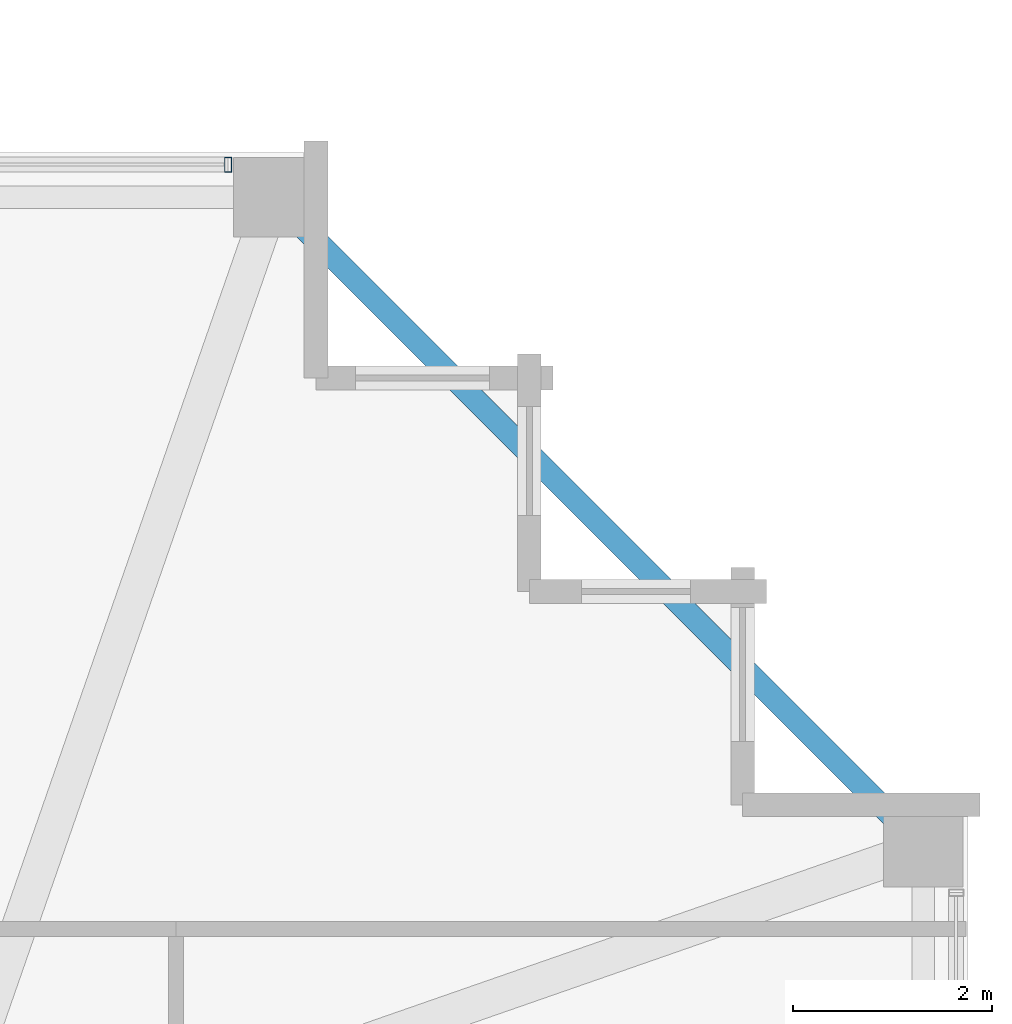
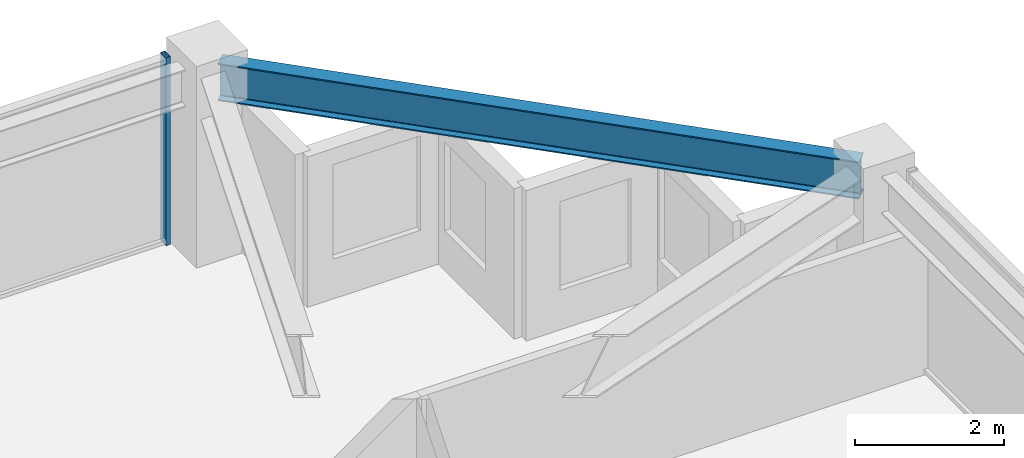
# One storey, part 22 of 36: 1 beam, 1 member, 1 element without a shape of its own.
"""IFC4 building model written with IfcOpenShell, lengths in metres."""

from ifc_helpers import new_model, si_unit, direction, frame, origin, origin_2d, place, context, subcontext, project, spatial, hollow_rectangle, i_section, extrude, material, material_profile, profile_set, type_object, element, aggregate, save


model = new_model("IFC4")

# Units and contexts
model_context = context("Model", 3, precision=1e-05, world=origin(), true_north=direction((0.0, 1.0)))
body_context = subcontext(model_context, "Body", "Model", "MODEL_VIEW")
ifc_project = project(units=[si_unit("LENGTHUNIT", "METRE"), si_unit("AREAUNIT", "SQUARE_METRE"), si_unit("VOLUMEUNIT", "CUBIC_METRE"), si_unit("PLANEANGLEUNIT", "RADIAN"), si_unit("MASSUNIT", "GRAM", prefix="KILO")], contexts=[model_context])

# Site, building, storey
site_placement = place(None, origin())
site = spatial("IfcSite", under=ifc_project, at=site_placement, CompositionType="ELEMENT")
building_placement = place(site_placement, origin())
building = spatial("IfcBuilding", under=site, at=building_placement, Name="Kolvaren Belvedere", CompositionType="ELEMENT")
storey_placement = place(building_placement, frame((0.0, 0.0, 196.5)))
storey = spatial("IfcBuildingStorey", under=building, at=storey_placement, Name="L57", CompositionType="ELEMENT", Elevation=196.5)

# Beam
ifc_material_1 = material(Name="Structural steel ASTM A992 Grade 50", Category="steel")
ifc_material_profile_1 = material_profile(ifc_material_1, i_section(OverallWidth=0.22900390625, OverallDepth=0.612060546875, WebThickness=0.011962890625, FlangeThickness=0.01953125, FilletRadius=0.01806640625, at=origin_2d()), Name="W24X84")
ifc_profile_set_1 = profile_set([ifc_material_profile_1], Name="Structural steel ASTM A992 Grade 50")
beam_type = type_object("IfcBeamType", Name="BM-SPAN-W24X84", PredefinedType="SPANDREL", material=ifc_profile_set_1)
beam_placement = place(storey_placement, frame((19.82275390625, 13.52734375, 2.77392578125), z_axis=(-0.707106781187, 0.707106781187, 0.0), x_axis=(-0.707106781187, -0.707106781187, 0.0)))
element("IfcBeam", 1, at=beam_placement, inside=storey, type_object=beam_type, Name="L57 Perimeter Spandrel E4-N4", PredefinedType="SPANDREL", context=body_context, shape_type="SweptSolid", body=[
    extrude(i_section(OverallWidth=0.22900390625, OverallDepth=0.612060546875, WebThickness=0.011962890625, FlangeThickness=0.01953125, FilletRadius=0.01806640625, at=origin_2d()), origin(), (0.0, 0.0, 1.0), 8.903076171875),
])

# Curtain wall, member
ifc_material_2 = material(Name="Anodised pale-metal aluminium AA 6063-T6", Category="aluminium")
curtain_wall_type = type_object("IfcCurtainWallType", Name="CW-Z5-HIGH", PredefinedType="NOTDEFINED", material=ifc_material_2)
curtain_wall_placement = place(storey_placement, origin())
curtain_wall = element("IfcCurtainWall", 2, at=curtain_wall_placement, inside=storey, type_object=curtain_wall_type, Name="L57 Unitised Curtain Wall FCW-L57-N2-B2", PredefinedType="NOTDEFINED")
ifc_material_3 = material(Name="Anodised pale-metal aluminium AA 6063-T6", Category="aluminium")
ifc_material_profile_2 = material_profile(ifc_material_3, hollow_rectangle(XDim=0.070068359375, YDim=0.14990234375, WallThickness=0.004150390625, at=origin_2d()), Name="ALU-MUL-150X70")
ifc_profile_set_2 = profile_set([ifc_material_profile_2], Name="Anodised pale-metal aluminium AA 6063-T6")
member_type = type_object("IfcMemberType", Name="CW-MUL-150", PredefinedType="MULLION", material=ifc_profile_set_2)
member_placement = place(storey_placement, frame((12.945068359375, 20.280029296875, 0.0), z_axis=(0.0, 0.0, 1.0), x_axis=(1.0, 0.0, 0.0)))
member = element("IfcMember", 3, at=member_placement, type_object=member_type, Name="FCW-L57-N2-B2 Unitised Mullion 3", PredefinedType="MULLION", context=body_context, shape_type="SweptSolid", body=[
    extrude(hollow_rectangle(XDim=0.070068359375, YDim=0.14990234375, WallThickness=0.004150390625, at=origin_2d()), origin(), (0.0, 0.0, 1.0), 3.080078125),
])
aggregate(curtain_wall, [member])

save(model, "model.ifc")
